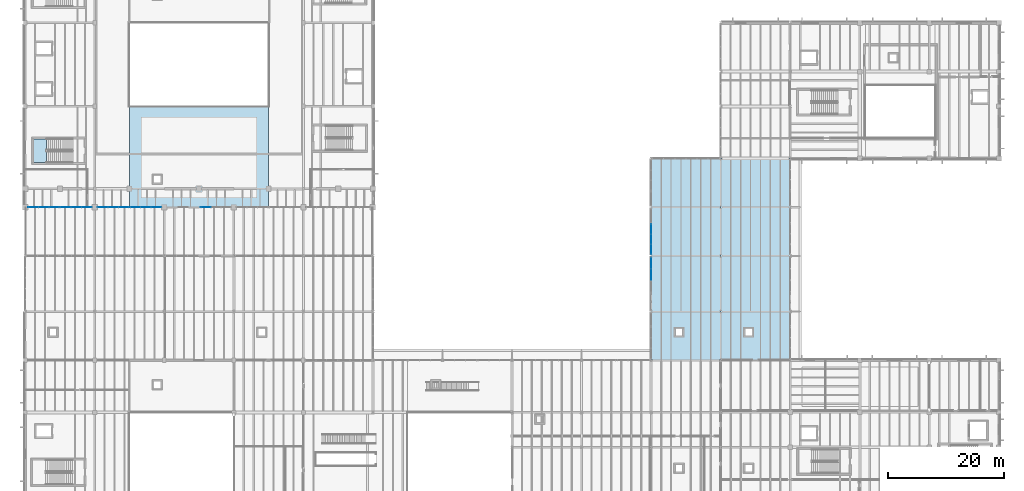
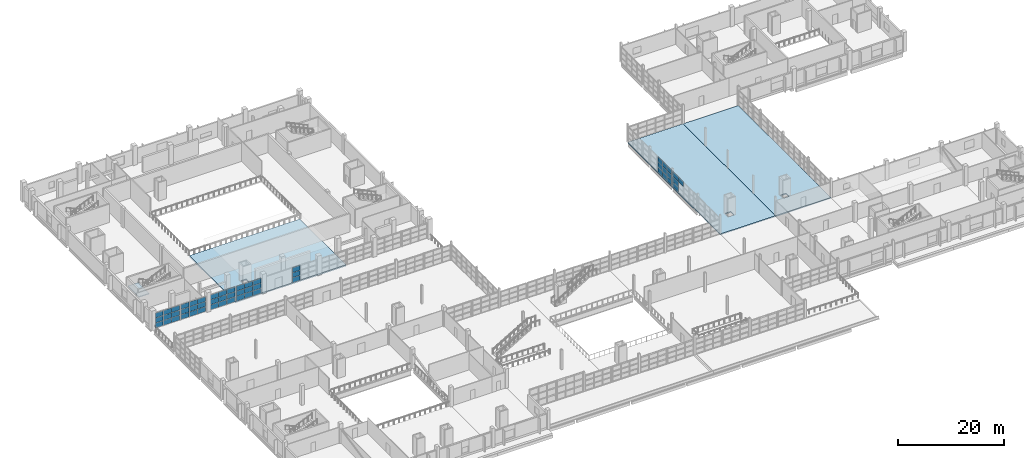
# One storey, part 81 of 114: 52 plates, 4 slabs, 8 elements without a shape of their own.
"""IFC4 building model written with IfcOpenShell, lengths in metres."""

import ifcopenshell
import ifcopenshell.guid

model = None  # the IFC model being written
_history = None  # IfcOwnerHistory: only IFC2X3 demands one
_inside = {}  # id of a spatial element -> (the spatial element, [elements in it])
_under = {}  # id of a project, library or spatial element -> (it, [spatial elements below it])
_declared = {}  # id of a project -> (the project, [libraries it declares])
_typed = {}  # id of a type object -> (the type object, [elements of that type])
_made_of = {}  # id of a material, layer set ... -> (it, [elements and type objects made of it])


def new_model(schema):
    """Start an empty IFC model of exactly this schema.

    Asked for "IFC4X3", IfcOpenShell would pick the latest addendum, in which some entities
    have other attributes; the version numbers below select the first issue.
    IFC2X3 requires an IfcOwnerHistory on every rooted entity: one is made here for all.
    """
    global model, _history
    if schema == "IFC4X3":
        model = ifcopenshell.file(schema_version=(4, 3, 0, 0))
    else:
        model = ifcopenshell.file(schema=schema)
    _inside.clear()
    _under.clear()
    _declared.clear()
    _typed.clear()
    _made_of.clear()
    _history = None
    if model.schema == "IFC2X3":
        org = make("IfcOrganization", Name="unknown")
        user = make(
            "IfcPersonAndOrganization",
            ThePerson=make("IfcPerson", FamilyName="unknown"),
            TheOrganization=org,
        )
        app = make(
            "IfcApplication",
            ApplicationDeveloper=org,
            Version="unknown",
            ApplicationFullName="unknown",
            ApplicationIdentifier="unknown",
        )
        _history = make(
            "IfcOwnerHistory",
            OwningUser=user,
            OwningApplication=app,
            ChangeAction="ADDED",
            CreationDate=0,
        )
    return model


def make(cls, **values):
    """One entity of the class cls with the attributes given. An attribute that is None is left unset."""
    return model.create_entity(
        cls, **{name: value for name, value in values.items() if value is not None}
    )


def rooted(cls, **values):
    """An entity with a GlobalId (a new one), such as an element, a storey or a relation."""
    return make(cls, GlobalId=ifcopenshell.guid.new(), OwnerHistory=_history, **values)


def si_unit(unit_type, name, prefix=None):
    """IfcSIUnit, for example si_unit("LENGTHUNIT", "METRE", prefix="MILLI")."""
    return make("IfcSIUnit", UnitType=unit_type, Prefix=prefix, Name=name)


def assignment(units):
    """IfcUnitAssignment: the units of a project."""
    return None if units is None else make("IfcUnitAssignment", Units=units)


def point(xyz):
    """IfcCartesianPoint."""
    return None if xyz is None else make("IfcCartesianPoint", Coordinates=xyz)


def direction(xyz):
    """IfcDirection."""
    return None if xyz is None else make("IfcDirection", DirectionRatios=xyz)


def frame(location, z_axis=None, x_axis=None):
    """IfcAxis2Placement3D, a coordinate frame: its origin and axes. An axis left out is left unset."""
    return make(
        "IfcAxis2Placement3D",
        Location=point(location),
        Axis=direction(z_axis),
        RefDirection=direction(x_axis),
    )


def frame_2d(location, x_axis=None):
    """IfcAxis2Placement2D, a coordinate frame in the plane: its origin and x axis."""
    return make(
        "IfcAxis2Placement2D", Location=point(location), RefDirection=direction(x_axis)
    )


def origin():
    """The frame at (0, 0, 0) with its axes left unset."""
    return frame((0.0, 0.0, 0.0))


def origin_2d():
    """The frame at (0, 0) in the plane with its x axis left unset."""
    return frame_2d((0.0, 0.0))


def place(relative_to, where):
    """IfcLocalPlacement: puts the frame where relative to a parent placement (None: the world)."""
    return make(
        "IfcLocalPlacement", PlacementRelTo=relative_to, RelativePlacement=where
    )


def context(
    kind, dimensions, precision=None, world=None, true_north=None, identifier=None
):
    """IfcGeometricRepresentationContext, for example the 3D "Model" context."""
    return make(
        "IfcGeometricRepresentationContext",
        ContextIdentifier=identifier,
        ContextType=kind,
        CoordinateSpaceDimension=dimensions,
        Precision=precision,
        WorldCoordinateSystem=world,
        TrueNorth=true_north,
    )


def subcontext(parent, identifier, kind, view, scale=None):
    """IfcGeometricRepresentationSubContext, for example "Body" below "Model"."""
    return make(
        "IfcGeometricRepresentationSubContext",
        ContextIdentifier=identifier,
        ContextType=kind,
        ParentContext=parent,
        TargetScale=scale,
        TargetView=view,
    )


def project(units=None, contexts=None):
    """IfcProject with its units and contexts."""
    return rooted(
        "IfcProject",
        Name="project",
        RepresentationContexts=contexts,
        UnitsInContext=assignment(units),
    )


def spatial(cls, under=None, at=None, **own):
    """A site, building, storey or space (cls), placed at a placement, below another one or the project."""
    s = rooted(cls, ObjectPlacement=at, **own)
    if under is not None:
        _under.setdefault(under.id(), (under, []))[1].append(s)
    return s


def polyline(points):
    """IfcPolyline through the points."""
    return make("IfcPolyline", Points=[point(p) for p in points])


def profile(cls, at=None, kind="AREA", **sizes):
    """A parametric profile (cls). Its sizes go by their IFC names, for example OverallWidth=200.0."""
    return make(cls, ProfileType=kind, Position=at, **sizes)


def rectangle(**sizes):
    """IfcRectangleProfileDef."""
    return profile("IfcRectangleProfileDef", **sizes)


def outline(outer, holes=None, kind="AREA"):
    """IfcArbitraryClosedProfileDef: a profile drawn as a closed curve; with holes, ...WithVoids."""
    if holes is None:
        return make("IfcArbitraryClosedProfileDef", ProfileType=kind, OuterCurve=outer)
    return make(
        "IfcArbitraryProfileDefWithVoids",
        ProfileType=kind,
        OuterCurve=outer,
        InnerCurves=holes,
    )


def extrude(swept, where, along, depth):
    """IfcExtrudedAreaSolid: the profile swept, set in the frame where, extruded along a direction by depth."""
    return make(
        "IfcExtrudedAreaSolid",
        SweptArea=swept,
        Position=where,
        ExtrudedDirection=direction(along),
        Depth=depth,
    )


def shape(context_of_items, identifier, shape_type, items):
    """IfcShapeRepresentation: the items that make up one representation, for example the "Body"."""
    return make(
        "IfcShapeRepresentation",
        ContextOfItems=context_of_items,
        RepresentationIdentifier=identifier,
        RepresentationType=shape_type,
        Items=items,
    )


def material(Name=None, Category=None):
    """IfcMaterial."""
    return make("IfcMaterial", Name=Name, Category=Category)


def layer(
    of_material, thickness, ventilated=None, Name=None, Category=None, Priority=None
):
    """IfcMaterialLayer: one layer of a wall or slab, of a material (None: an air gap)."""
    return make(
        "IfcMaterialLayer",
        Material=of_material,
        LayerThickness=thickness,
        IsVentilated=ventilated,
        Name=Name,
        Category=Category,
        Priority=Priority,
    )


def layer_set(layers, Name=None):
    """IfcMaterialLayerSet."""
    return make("IfcMaterialLayerSet", MaterialLayers=layers, LayerSetName=Name)


def made_of(thing, what):
    """Note that an element or type object is made of a material, layer set ...; save() writes the relation."""
    if what is not None:
        _made_of.setdefault(what.id(), (what, []))[1].append(thing)
    return thing


def type_object(cls, material=None, **own):
    """A type object (cls), such as IfcWallType, which elements share."""
    return made_of(rooted(cls, **own), material)


def element(
    cls,
    number,
    at=None,
    inside=None,
    cuts=None,
    type_object=None,
    material=None,
    context=None,
    identifier="Body",
    shape_type=None,
    held_by="IfcProductDefinitionShape",
    body=None,
    shapes=None,
    **own,
):
    """One element of the class cls, such as IfcWall. Its Tag is "e" and its number.

    at: its placement. inside: the storey or other place that contains it. cuts: it is an
    opening in that element (IfcRelVoidsElement). A single representation is given by context,
    identifier, shape_type and body (its items); several are given by shapes. held_by: the class
    of the entity that holds the representations. save() writes the other relations.
    """
    e = rooted(cls, Tag="e%d" % number, ObjectPlacement=at, **own)
    if body is not None:
        shapes = [shape(context, identifier, shape_type, body)]
    if shapes is not None:
        e.Representation = make(held_by, Representations=shapes)
    if inside is not None:
        _inside.setdefault(inside.id(), (inside, []))[1].append(e)
    if cuts is not None:
        rooted(
            "IfcRelVoidsElement", RelatingBuildingElement=cuts, RelatedOpeningElement=e
        )
    if type_object is not None:
        _typed.setdefault(type_object.id(), (type_object, []))[1].append(e)
    return made_of(e, material)


def aggregate(whole, parts):
    """IfcRelAggregates: a whole, such as a stair, and the parts it consists of."""
    return rooted("IfcRelAggregates", RelatingObject=whole, RelatedObjects=parts)


def save(model, path):
    """Write the relations noted so far, then the file.

    IfcRelAggregates (storeys below a building ...), IfcRelContainedInSpatialStructure (elements
    in a storey), IfcRelDefinesByType, IfcRelAssociatesMaterial and IfcRelDeclares: one each for
    every whole, place, type object, material and project.
    """
    for whole, parts in _under.values():
        aggregate(whole, parts)
    for where, things in _inside.values():
        rooted(
            "IfcRelContainedInSpatialStructure",
            RelatedElements=things,
            RelatingStructure=where,
        )
    for kind, things in _typed.values():
        rooted("IfcRelDefinesByType", RelatedObjects=things, RelatingType=kind)
    for what, things in _made_of.values():
        rooted("IfcRelAssociatesMaterial", RelatedObjects=things, RelatingMaterial=what)
    for by, libraries in _declared.values():
        rooted("IfcRelDeclares", RelatingContext=by, RelatedDefinitions=libraries)
    model.write(path)


model = new_model("IFC4")

# Units and contexts
model_context = context("Model", 3, precision=1e-05, world=origin(), true_north=direction((0.0, 1.0)))
body_context = subcontext(model_context, "Body", "Model", "MODEL_VIEW")
ifc_project = project(units=[si_unit("LENGTHUNIT", "METRE"), si_unit("AREAUNIT", "SQUARE_METRE"), si_unit("VOLUMEUNIT", "CUBIC_METRE"), si_unit("PLANEANGLEUNIT", "RADIAN"), si_unit("MASSUNIT", "GRAM", prefix="KILO")], contexts=[model_context])

# Site, building, storey
site_placement = place(None, origin())
site = spatial("IfcSite", under=ifc_project, at=site_placement, CompositionType="ELEMENT")
building_placement = place(site_placement, origin())
building = spatial("IfcBuilding", under=site, at=building_placement, Name="Kelmvaro Bay Concert Hall", CompositionType="ELEMENT")
storey_placement = place(building_placement, frame((0.0, 0.0, 4.800048828125)))
storey = spatial("IfcBuildingStorey", under=building, at=storey_placement, Name="L01", CompositionType="ELEMENT", Elevation=4.800048828125)

# Slab
ifc_material_1 = material(Name="Concrete C40/50", Category="concrete")
ifc_layer_1 = layer(ifc_material_1, 0.300048828125)
ifc_layer_set_1 = layer_set([ifc_layer_1], Name="Concrete C40/50")
slab_type_1 = type_object("IfcSlabType", Name="Auditorium Tier Structural Slab 300", PredefinedType="FLOOR", material=ifc_layer_set_1)
slab_1_placement = place(storey_placement, frame((0.0, 0.0, -0.300048828125)))
element("IfcSlab", 1, at=slab_1_placement, inside=storey, type_object=slab_type_1, Name="L01 Structural Slab V1-M", PredefinedType="FLOOR", context=body_context, shape_type="SweptSolid", body=[
    extrude(outline(polyline([(18.0, 65.39990234375), (42.0, 65.39990234375), (42.0, 82.800048828125), (18.0, 82.800048828125), (18.0, 65.39990234375)]), holes=[polyline([(22.199951171875, 69.60009765625), (23.39990234375, 69.60009765625), (23.39990234375, 70.800048828125), (22.199951171875, 70.800048828125), (22.199951171875, 69.60009765625)])]), origin(), (0.0, 0.0, 1.0), 0.300048828125),
])

# Stair, slab
ifc_material_2 = material(Name="Concrete C40/50", Category="concrete")
stair_type = type_object("IfcStairType", Name="Core Dogleg Exit Stair 1980", PredefinedType="USERDEFINED", material=ifc_material_2)
stair_placement = place(storey_placement, origin())
stair = element("IfcStair", 2, at=stair_placement, inside=storey, type_object=stair_type, Name="L01 Exit Stair ST-01", ObjectType="TWO_RETURN_STAIR", PredefinedType="USERDEFINED")
ifc_material_3 = material(Name="Concrete C40/50", Category="concrete")
ifc_layer_2 = layer(ifc_material_3, 0.199951171875)
ifc_layer_set_2 = layer_set([ifc_layer_2], Name="Concrete C40/50")
slab_type_2 = type_object("IfcSlabType", Name="Core Stair Half-Landing Slab 200", PredefinedType="LANDING", material=ifc_layer_set_2)
slab_2_placement = place(storey_placement, frame((0.0, 0.0, 2.050048828125)))
slab_2 = element("IfcSlab", 3, at=slab_2_placement, type_object=slab_type_2, Name="ST-01 landing 1", PredefinedType="LANDING", context=body_context, shape_type="SweptSolid", body=[
    extrude(outline(polyline([(3.696044921875, 77.199951171875), (1.449951171875, 77.199951171875), (1.449951171875, 73.090087890625), (3.696044921875, 73.090087890625), (3.696044921875, 77.199951171875)])), origin(), (0.0, 0.0, 1.0), 0.199951171875),
])
aggregate(stair, [slab_2])

# Curtain wall, plates
ifc_material_4 = material(Name="Anodised Aluminium and Low-E Insulated Glazing", Category="aluminium")
curtain_wall_type_1 = type_object("IfcCurtainWallType", Name="Mezzanine Concourse Curtain Wall 4100", PredefinedType="USERDEFINED", material=ifc_material_4)
curtain_wall_1_placement = place(storey_placement, origin())
curtain_wall_1 = element("IfcCurtainWall", 4, at=curtain_wall_1_placement, inside=storey, type_object=curtain_wall_type_1, Name="Unitised Curtain Wall CW-L01-115", ObjectType="UNITISED GLAZING", PredefinedType="USERDEFINED")
ifc_material_5 = material(Name="Laminated Low-E Insulated Glass", Category="glass")
ifc_layer_3 = layer(ifc_material_5, 1.85009765625)
ifc_layer_set_3 = layer_set([ifc_layer_3], Name="Laminated Low-E Insulated Glass")
plate_type_1 = type_object("IfcPlateType", Name="Courtyard Clear Low-E Glazing Panel 22", PredefinedType="CURTAIN_PANEL", material=ifc_layer_set_3)
plate_1_placement = place(storey_placement, frame((108.0, 53.747314453125, 2.45166015625), z_axis=(0.0, 0.0, 1.0), x_axis=(0.0, 1.0, 0.0)))
plate_1 = element("IfcPlate", 5, at=plate_1_placement, type_object=plate_type_1, Name="CW-L01-115 Insulated Glazing Panel 02-3", PredefinedType="CURTAIN_PANEL", context=body_context, shape_type="SweptSolid", body=[
    extrude(rectangle(XDim=1.939697265625, YDim=0.02197265625, at=origin_2d()), origin(), (0.0, 0.0, 1.0), 1.144775390625),
])
plate_2_placement = place(storey_placement, frame((108.0, 55.752197265625, 0.0322265625), z_axis=(0.0, 0.0, 1.0), x_axis=(0.0, 1.0, 0.0)))
plate_2 = element("IfcPlate", 6, at=plate_2_placement, type_object=plate_type_1, Name="CW-L01-115 Insulated Glazing Panel 03-1", PredefinedType="CURTAIN_PANEL", context=body_context, shape_type="SweptSolid", body=[
    extrude(rectangle(XDim=1.939697265625, YDim=0.02197265625, at=origin_2d()), origin(), (0.0, 0.0, 1.0), 1.144775390625),
])
plate_3_placement = place(storey_placement, frame((108.0, 55.752197265625, 1.2421875), z_axis=(0.0, 0.0, 1.0), x_axis=(0.0, 1.0, 0.0)))
plate_3 = element("IfcPlate", 7, at=plate_3_placement, type_object=plate_type_1, Name="CW-L01-115 Insulated Glazing Panel 03-2", PredefinedType="CURTAIN_PANEL", context=body_context, shape_type="SweptSolid", body=[
    extrude(rectangle(XDim=1.939697265625, YDim=0.02197265625, at=origin_2d()), origin(), (0.0, 0.0, 1.0), 1.14453125),
])
plate_4_placement = place(storey_placement, frame((108.0, 55.752197265625, 2.45166015625), z_axis=(0.0, 0.0, 1.0), x_axis=(0.0, 1.0, 0.0)))
plate_4 = element("IfcPlate", 8, at=plate_4_placement, type_object=plate_type_1, Name="CW-L01-115 Insulated Glazing Panel 03-3", PredefinedType="CURTAIN_PANEL", context=body_context, shape_type="SweptSolid", body=[
    extrude(rectangle(XDim=1.939697265625, YDim=0.02197265625, at=origin_2d()), origin(), (0.0, 0.0, 1.0), 1.144775390625),
])
aggregate(curtain_wall_1, [plate_1, plate_2, plate_3, plate_4])

curtain_wall_2_placement = place(storey_placement, origin())
curtain_wall_2 = element("IfcCurtainWall", 9, at=curtain_wall_2_placement, inside=storey, type_object=curtain_wall_type_1, Name="Unitised Curtain Wall CW-L01-117", ObjectType="UNITISED GLAZING", PredefinedType="USERDEFINED")
plate_5_placement = place(storey_placement, frame((108.0, 58.114501953125, 0.03271484375), z_axis=(0.0, 0.0, 1.0), x_axis=(0.0, 1.0, 0.0)))
plate_5 = element("IfcPlate", 10, at=plate_5_placement, type_object=plate_type_1, Name="CW-L01-117 Insulated Glazing Panel 01-1", PredefinedType="CURTAIN_PANEL", context=body_context, shape_type="SweptSolid", body=[
    extrude(rectangle(XDim=1.673095703125, YDim=0.02197265625, at=origin_2d()), origin(), (0.0, 0.0, 1.0), 1.144287109375),
])
plate_6_placement = place(storey_placement, frame((108.0, 58.114501953125, 1.24169921875), z_axis=(0.0, 0.0, 1.0), x_axis=(0.0, 1.0, 0.0)))
plate_6 = element("IfcPlate", 11, at=plate_6_placement, type_object=plate_type_1, Name="CW-L01-117 Insulated Glazing Panel 01-2", PredefinedType="CURTAIN_PANEL", context=body_context, shape_type="SweptSolid", body=[
    extrude(rectangle(XDim=1.673095703125, YDim=0.02197265625, at=origin_2d()), origin(), (0.0, 0.0, 1.0), 1.144287109375),
])
plate_7_placement = place(storey_placement, frame((108.0, 58.114501953125, 2.451171875), z_axis=(0.0, 0.0, 1.0), x_axis=(0.0, 1.0, 0.0)))
plate_7 = element("IfcPlate", 12, at=plate_7_placement, type_object=plate_type_1, Name="CW-L01-117 Insulated Glazing Panel 01-3", PredefinedType="CURTAIN_PANEL", context=body_context, shape_type="SweptSolid", body=[
    extrude(rectangle(XDim=1.673095703125, YDim=0.02197265625, at=origin_2d()), origin(), (0.0, 0.0, 1.0), 1.144287109375),
])
plate_8_placement = place(storey_placement, frame((108.0, 59.852783203125, 0.03271484375), z_axis=(0.0, 0.0, 1.0), x_axis=(0.0, 1.0, 0.0)))
plate_8 = element("IfcPlate", 13, at=plate_8_placement, type_object=plate_type_1, Name="CW-L01-117 Insulated Glazing Panel 02-1", PredefinedType="CURTAIN_PANEL", context=body_context, shape_type="SweptSolid", body=[
    extrude(rectangle(XDim=1.673095703125, YDim=0.02197265625, at=origin_2d()), origin(), (0.0, 0.0, 1.0), 1.144287109375),
])
plate_9_placement = place(storey_placement, frame((108.0, 59.852783203125, 1.24169921875), z_axis=(0.0, 0.0, 1.0), x_axis=(0.0, 1.0, 0.0)))
plate_9 = element("IfcPlate", 14, at=plate_9_placement, type_object=plate_type_1, Name="CW-L01-117 Insulated Glazing Panel 02-2", PredefinedType="CURTAIN_PANEL", context=body_context, shape_type="SweptSolid", body=[
    extrude(rectangle(XDim=1.673095703125, YDim=0.02197265625, at=origin_2d()), origin(), (0.0, 0.0, 1.0), 1.144287109375),
])
plate_10_placement = place(storey_placement, frame((108.0, 59.852783203125, 2.451171875), z_axis=(0.0, 0.0, 1.0), x_axis=(0.0, 1.0, 0.0)))
plate_10 = element("IfcPlate", 15, at=plate_10_placement, type_object=plate_type_1, Name="CW-L01-117 Insulated Glazing Panel 02-3", PredefinedType="CURTAIN_PANEL", context=body_context, shape_type="SweptSolid", body=[
    extrude(rectangle(XDim=1.673095703125, YDim=0.02197265625, at=origin_2d()), origin(), (0.0, 0.0, 1.0), 1.144287109375),
])
plate_11_placement = place(storey_placement, frame((108.0, 61.5908203125, 0.03271484375), z_axis=(0.0, 0.0, 1.0), x_axis=(0.0, 1.0, 0.0)))
plate_11 = element("IfcPlate", 16, at=plate_11_placement, type_object=plate_type_1, Name="CW-L01-117 Insulated Glazing Panel 03-1", PredefinedType="CURTAIN_PANEL", context=body_context, shape_type="SweptSolid", body=[
    extrude(rectangle(XDim=1.673095703125, YDim=0.02197265625, at=origin_2d()), origin(), (0.0, 0.0, 1.0), 1.144287109375),
])
plate_12_placement = place(storey_placement, frame((108.0, 61.5908203125, 1.24169921875), z_axis=(0.0, 0.0, 1.0), x_axis=(0.0, 1.0, 0.0)))
plate_12 = element("IfcPlate", 17, at=plate_12_placement, type_object=plate_type_1, Name="CW-L01-117 Insulated Glazing Panel 03-2", PredefinedType="CURTAIN_PANEL", context=body_context, shape_type="SweptSolid", body=[
    extrude(rectangle(XDim=1.673095703125, YDim=0.02197265625, at=origin_2d()), origin(), (0.0, 0.0, 1.0), 1.144287109375),
])
plate_13_placement = place(storey_placement, frame((108.0, 61.5908203125, 2.451171875), z_axis=(0.0, 0.0, 1.0), x_axis=(0.0, 1.0, 0.0)))
plate_13 = element("IfcPlate", 18, at=plate_13_placement, type_object=plate_type_1, Name="CW-L01-117 Insulated Glazing Panel 03-3", PredefinedType="CURTAIN_PANEL", context=body_context, shape_type="SweptSolid", body=[
    extrude(rectangle(XDim=1.673095703125, YDim=0.02197265625, at=origin_2d()), origin(), (0.0, 0.0, 1.0), 1.144287109375),
])
aggregate(curtain_wall_2, [plate_5, plate_6, plate_7, plate_8, plate_9, plate_10, plate_11, plate_12, plate_13])

# Slabs
ifc_material_6 = material(Name="Concrete C40/50", Category="concrete")
ifc_layer_4 = layer(ifc_material_6, 0.25)
ifc_layer_set_4 = layer_set([ifc_layer_4], Name="Concrete C40/50")
slab_type_3 = type_object("IfcSlabType", Name="Suspended Concourse Floor Slab 250", PredefinedType="FLOOR", material=ifc_layer_set_4)
slab_3_placement = place(storey_placement, frame((0.0, 0.0, -0.25)))
element("IfcSlab", 19, at=slab_3_placement, inside=storey, type_object=slab_type_3, Name="L01 Structural Slab V5-E1", PredefinedType="FLOOR", context=body_context, shape_type="SweptSolid", body=[
    extrude(outline(polyline([(108.0, 39.0), (120.0, 39.0), (120.0, 73.800048828125), (108.0, 73.800048828125), (108.0, 39.0)]), holes=[polyline([(112.199951171875, 43.199951171875), (113.39990234375, 43.199951171875), (113.39990234375, 44.39990234375), (112.199951171875, 44.39990234375), (112.199951171875, 43.199951171875)])]), origin(), (0.0, 0.0, 1.0), 0.25),
])
slab_4_placement = place(storey_placement, frame((0.0, 0.0, -0.25)))
element("IfcSlab", 20, at=slab_4_placement, inside=storey, type_object=slab_type_3, Name="L01 Structural Slab V5-E2", PredefinedType="FLOOR", context=body_context, shape_type="SweptSolid", body=[
    extrude(outline(polyline([(120.0, 39.0), (132.0, 39.0), (132.0, 73.800048828125), (120.0, 73.800048828125), (120.0, 39.0)]), holes=[polyline([(124.199951171875, 43.199951171875), (125.39990234375, 43.199951171875), (125.39990234375, 44.39990234375), (124.199951171875, 44.39990234375), (124.199951171875, 43.199951171875)])]), origin(), (0.0, 0.0, 1.0), 0.25),
])

# Curtain wall, plates
ifc_material_7 = material(Name="Anodised Aluminium and Low-E Insulated Glazing", Category="aluminium")
curtain_wall_type_2 = type_object("IfcCurtainWallType", Name="Symphony South Gallery Curtain Wall 3920", PredefinedType="USERDEFINED", material=ifc_material_7)
curtain_wall_3_placement = place(storey_placement, origin())
curtain_wall_3 = element("IfcCurtainWall", 21, at=curtain_wall_3_placement, inside=storey, type_object=curtain_wall_type_2, Name="Unitised Curtain Wall CW-L01-001", ObjectType="UNITISED GLAZING", PredefinedType="USERDEFINED")
ifc_material_8 = material(Name="Laminated Low-E Insulated Glass", Category="glass")
ifc_layer_5 = layer(ifc_material_8, 1.85009765625)
ifc_layer_set_5 = layer_set([ifc_layer_5], Name="Laminated Low-E Insulated Glass")
plate_type_2 = type_object("IfcPlateType", Name="Symphony Foyer Triple Acoustic Glass 60", PredefinedType="CURTAIN_PANEL", material=ifc_layer_set_5)
plate_14_placement = place(storey_placement, frame((4.9716796875, 65.39990234375, 0.0322265625), z_axis=(0.0, 0.0, 1.0), x_axis=(-1.0, 0.0, 0.0)))
plate_14 = element("IfcPlate", 22, at=plate_14_placement, type_object=plate_type_2, Name="CW-L01-001 Insulated Glazing Panel 01-1", PredefinedType="CURTAIN_PANEL", context=body_context, shape_type="SweptSolid", body=[
    extrude(rectangle(XDim=1.711669921875, YDim=0.06005859375, at=origin_2d()), origin(), (0.0, 0.0, 1.0), 1.097412109375),
])
plate_15_placement = place(storey_placement, frame((4.9716796875, 65.39990234375, 1.19482421875), z_axis=(0.0, 0.0, 1.0), x_axis=(-1.0, 0.0, 0.0)))
plate_15 = element("IfcPlate", 23, at=plate_15_placement, type_object=plate_type_2, Name="CW-L01-001 Insulated Glazing Panel 01-2", PredefinedType="CURTAIN_PANEL", context=body_context, shape_type="SweptSolid", body=[
    extrude(rectangle(XDim=1.711669921875, YDim=0.06005859375, at=origin_2d()), origin(), (0.0, 0.0, 1.0), 1.097412109375),
])
plate_16_placement = place(storey_placement, frame((4.9716796875, 65.39990234375, 2.35693359375), z_axis=(0.0, 0.0, 1.0), x_axis=(-1.0, 0.0, 0.0)))
plate_16 = element("IfcPlate", 24, at=plate_16_placement, type_object=plate_type_2, Name="CW-L01-001 Insulated Glazing Panel 01-3", PredefinedType="CURTAIN_PANEL", context=body_context, shape_type="SweptSolid", body=[
    extrude(rectangle(XDim=1.711669921875, YDim=0.06005859375, at=origin_2d()), origin(), (0.0, 0.0, 1.0), 1.097412109375),
])
plate_17_placement = place(storey_placement, frame((3.195068359375, 65.39990234375, 0.0322265625), z_axis=(0.0, 0.0, 1.0), x_axis=(-1.0, 0.0, 0.0)))
plate_17 = element("IfcPlate", 25, at=plate_17_placement, type_object=plate_type_2, Name="CW-L01-001 Insulated Glazing Panel 02-1", PredefinedType="CURTAIN_PANEL", context=body_context, shape_type="SweptSolid", body=[
    extrude(rectangle(XDim=1.711669921875, YDim=0.06005859375, at=origin_2d()), origin(), (0.0, 0.0, 1.0), 1.097412109375),
])
plate_18_placement = place(storey_placement, frame((3.195068359375, 65.39990234375, 1.19482421875), z_axis=(0.0, 0.0, 1.0), x_axis=(-1.0, 0.0, 0.0)))
plate_18 = element("IfcPlate", 26, at=plate_18_placement, type_object=plate_type_2, Name="CW-L01-001 Insulated Glazing Panel 02-2", PredefinedType="CURTAIN_PANEL", context=body_context, shape_type="SweptSolid", body=[
    extrude(rectangle(XDim=1.711669921875, YDim=0.06005859375, at=origin_2d()), origin(), (0.0, 0.0, 1.0), 1.097412109375),
])
plate_19_placement = place(storey_placement, frame((3.195068359375, 65.39990234375, 2.35693359375), z_axis=(0.0, 0.0, 1.0), x_axis=(-1.0, 0.0, 0.0)))
plate_19 = element("IfcPlate", 27, at=plate_19_placement, type_object=plate_type_2, Name="CW-L01-001 Insulated Glazing Panel 02-3", PredefinedType="CURTAIN_PANEL", context=body_context, shape_type="SweptSolid", body=[
    extrude(rectangle(XDim=1.711669921875, YDim=0.06005859375, at=origin_2d()), origin(), (0.0, 0.0, 1.0), 1.097412109375),
])
plate_20_placement = place(storey_placement, frame((1.418212890625, 65.39990234375, 0.0322265625), z_axis=(0.0, 0.0, 1.0), x_axis=(-1.0, 0.0, 0.0)))
plate_20 = element("IfcPlate", 28, at=plate_20_placement, type_object=plate_type_2, Name="CW-L01-001 Insulated Glazing Panel 03-1", PredefinedType="CURTAIN_PANEL", context=body_context, shape_type="SweptSolid", body=[
    extrude(rectangle(XDim=1.711669921875, YDim=0.06005859375, at=origin_2d()), origin(), (0.0, 0.0, 1.0), 1.097412109375),
])
plate_21_placement = place(storey_placement, frame((1.418212890625, 65.39990234375, 1.19482421875), z_axis=(0.0, 0.0, 1.0), x_axis=(-1.0, 0.0, 0.0)))
plate_21 = element("IfcPlate", 29, at=plate_21_placement, type_object=plate_type_2, Name="CW-L01-001 Insulated Glazing Panel 03-2", PredefinedType="CURTAIN_PANEL", context=body_context, shape_type="SweptSolid", body=[
    extrude(rectangle(XDim=1.711669921875, YDim=0.06005859375, at=origin_2d()), origin(), (0.0, 0.0, 1.0), 1.097412109375),
])
plate_22_placement = place(storey_placement, frame((1.418212890625, 65.39990234375, 2.35693359375), z_axis=(0.0, 0.0, 1.0), x_axis=(-1.0, 0.0, 0.0)))
plate_22 = element("IfcPlate", 30, at=plate_22_placement, type_object=plate_type_2, Name="CW-L01-001 Insulated Glazing Panel 03-3", PredefinedType="CURTAIN_PANEL", context=body_context, shape_type="SweptSolid", body=[
    extrude(rectangle(XDim=1.711669921875, YDim=0.06005859375, at=origin_2d()), origin(), (0.0, 0.0, 1.0), 1.097412109375),
])
aggregate(curtain_wall_3, [plate_14, plate_15, plate_16, plate_17, plate_18, plate_19, plate_20, plate_21, plate_22])

curtain_wall_4_placement = place(storey_placement, origin())
curtain_wall_4 = element("IfcCurtainWall", 31, at=curtain_wall_4_placement, inside=storey, type_object=curtain_wall_type_2, Name="Unitised Curtain Wall CW-L01-002", ObjectType="UNITISED GLAZING", PredefinedType="USERDEFINED")
plate_23_placement = place(storey_placement, frame((10.6025390625, 65.39990234375, 0.0322265625), z_axis=(0.0, 0.0, 1.0), x_axis=(-1.0, 0.0, 0.0)))
plate_23 = element("IfcPlate", 32, at=plate_23_placement, type_object=plate_type_2, Name="CW-L01-002 Insulated Glazing Panel 01-1", PredefinedType="CURTAIN_PANEL", context=body_context, shape_type="SweptSolid", body=[
    extrude(rectangle(XDim=1.719970703125, YDim=0.06005859375, at=origin_2d()), origin(), (0.0, 0.0, 1.0), 1.097412109375),
])
plate_24_placement = place(storey_placement, frame((10.6025390625, 65.39990234375, 1.19482421875), z_axis=(0.0, 0.0, 1.0), x_axis=(-1.0, 0.0, 0.0)))
plate_24 = element("IfcPlate", 33, at=plate_24_placement, type_object=plate_type_2, Name="CW-L01-002 Insulated Glazing Panel 01-2", PredefinedType="CURTAIN_PANEL", context=body_context, shape_type="SweptSolid", body=[
    extrude(rectangle(XDim=1.719970703125, YDim=0.06005859375, at=origin_2d()), origin(), (0.0, 0.0, 1.0), 1.097412109375),
])
plate_25_placement = place(storey_placement, frame((10.6025390625, 65.39990234375, 2.35693359375), z_axis=(0.0, 0.0, 1.0), x_axis=(-1.0, 0.0, 0.0)))
plate_25 = element("IfcPlate", 34, at=plate_25_placement, type_object=plate_type_2, Name="CW-L01-002 Insulated Glazing Panel 01-3", PredefinedType="CURTAIN_PANEL", context=body_context, shape_type="SweptSolid", body=[
    extrude(rectangle(XDim=1.719970703125, YDim=0.06005859375, at=origin_2d()), origin(), (0.0, 0.0, 1.0), 1.097412109375),
])
plate_26_placement = place(storey_placement, frame((8.8173828125, 65.39990234375, 0.0322265625), z_axis=(0.0, 0.0, 1.0), x_axis=(-1.0, 0.0, 0.0)))
plate_26 = element("IfcPlate", 35, at=plate_26_placement, type_object=plate_type_2, Name="CW-L01-002 Insulated Glazing Panel 02-1", PredefinedType="CURTAIN_PANEL", context=body_context, shape_type="SweptSolid", body=[
    extrude(rectangle(XDim=1.719970703125, YDim=0.06005859375, at=origin_2d()), origin(), (0.0, 0.0, 1.0), 1.097412109375),
])
plate_27_placement = place(storey_placement, frame((8.8173828125, 65.39990234375, 1.19482421875), z_axis=(0.0, 0.0, 1.0), x_axis=(-1.0, 0.0, 0.0)))
plate_27 = element("IfcPlate", 36, at=plate_27_placement, type_object=plate_type_2, Name="CW-L01-002 Insulated Glazing Panel 02-2", PredefinedType="CURTAIN_PANEL", context=body_context, shape_type="SweptSolid", body=[
    extrude(rectangle(XDim=1.719970703125, YDim=0.06005859375, at=origin_2d()), origin(), (0.0, 0.0, 1.0), 1.097412109375),
])
plate_28_placement = place(storey_placement, frame((8.8173828125, 65.39990234375, 2.35693359375), z_axis=(0.0, 0.0, 1.0), x_axis=(-1.0, 0.0, 0.0)))
plate_28 = element("IfcPlate", 37, at=plate_28_placement, type_object=plate_type_2, Name="CW-L01-002 Insulated Glazing Panel 02-3", PredefinedType="CURTAIN_PANEL", context=body_context, shape_type="SweptSolid", body=[
    extrude(rectangle(XDim=1.719970703125, YDim=0.06005859375, at=origin_2d()), origin(), (0.0, 0.0, 1.0), 1.097412109375),
])
plate_29_placement = place(storey_placement, frame((7.032470703125, 65.39990234375, 0.0322265625), z_axis=(0.0, 0.0, 1.0), x_axis=(-1.0, 0.0, 0.0)))
plate_29 = element("IfcPlate", 38, at=plate_29_placement, type_object=plate_type_2, Name="CW-L01-002 Insulated Glazing Panel 03-1", PredefinedType="CURTAIN_PANEL", context=body_context, shape_type="SweptSolid", body=[
    extrude(rectangle(XDim=1.719970703125, YDim=0.06005859375, at=origin_2d()), origin(), (0.0, 0.0, 1.0), 1.097412109375),
])
plate_30_placement = place(storey_placement, frame((7.032470703125, 65.39990234375, 1.19482421875), z_axis=(0.0, 0.0, 1.0), x_axis=(-1.0, 0.0, 0.0)))
plate_30 = element("IfcPlate", 39, at=plate_30_placement, type_object=plate_type_2, Name="CW-L01-002 Insulated Glazing Panel 03-2", PredefinedType="CURTAIN_PANEL", context=body_context, shape_type="SweptSolid", body=[
    extrude(rectangle(XDim=1.719970703125, YDim=0.06005859375, at=origin_2d()), origin(), (0.0, 0.0, 1.0), 1.097412109375),
])
plate_31_placement = place(storey_placement, frame((7.032470703125, 65.39990234375, 2.35693359375), z_axis=(0.0, 0.0, 1.0), x_axis=(-1.0, 0.0, 0.0)))
plate_31 = element("IfcPlate", 40, at=plate_31_placement, type_object=plate_type_2, Name="CW-L01-002 Insulated Glazing Panel 03-3", PredefinedType="CURTAIN_PANEL", context=body_context, shape_type="SweptSolid", body=[
    extrude(rectangle(XDim=1.719970703125, YDim=0.06005859375, at=origin_2d()), origin(), (0.0, 0.0, 1.0), 1.097412109375),
])
aggregate(curtain_wall_4, [plate_23, plate_24, plate_25, plate_26, plate_27, plate_28, plate_29, plate_30, plate_31])

curtain_wall_5_placement = place(storey_placement, origin())
curtain_wall_5 = element("IfcCurtainWall", 41, at=curtain_wall_5_placement, inside=storey, type_object=curtain_wall_type_2, Name="Unitised Curtain Wall CW-L01-003", ObjectType="UNITISED GLAZING", PredefinedType="USERDEFINED")
plate_32_placement = place(storey_placement, frame((16.967529296875, 65.39990234375, 0.0322265625), z_axis=(0.0, 0.0, 1.0), x_axis=(-1.0, 0.0, 0.0)))
plate_32 = element("IfcPlate", 42, at=plate_32_placement, type_object=plate_type_2, Name="CW-L01-003 Insulated Glazing Panel 01-1", PredefinedType="CURTAIN_PANEL", context=body_context, shape_type="SweptSolid", body=[
    extrude(rectangle(XDim=1.719970703125, YDim=0.06005859375, at=origin_2d()), origin(), (0.0, 0.0, 1.0), 1.097412109375),
])
plate_33_placement = place(storey_placement, frame((16.967529296875, 65.39990234375, 1.19482421875), z_axis=(0.0, 0.0, 1.0), x_axis=(-1.0, 0.0, 0.0)))
plate_33 = element("IfcPlate", 43, at=plate_33_placement, type_object=plate_type_2, Name="CW-L01-003 Insulated Glazing Panel 01-2", PredefinedType="CURTAIN_PANEL", context=body_context, shape_type="SweptSolid", body=[
    extrude(rectangle(XDim=1.719970703125, YDim=0.06005859375, at=origin_2d()), origin(), (0.0, 0.0, 1.0), 1.097412109375),
])
plate_34_placement = place(storey_placement, frame((16.967529296875, 65.39990234375, 2.35693359375), z_axis=(0.0, 0.0, 1.0), x_axis=(-1.0, 0.0, 0.0)))
plate_34 = element("IfcPlate", 44, at=plate_34_placement, type_object=plate_type_2, Name="CW-L01-003 Insulated Glazing Panel 01-3", PredefinedType="CURTAIN_PANEL", context=body_context, shape_type="SweptSolid", body=[
    extrude(rectangle(XDim=1.719970703125, YDim=0.06005859375, at=origin_2d()), origin(), (0.0, 0.0, 1.0), 1.097412109375),
])
plate_35_placement = place(storey_placement, frame((15.1826171875, 65.39990234375, 0.0322265625), z_axis=(0.0, 0.0, 1.0), x_axis=(-1.0, 0.0, 0.0)))
plate_35 = element("IfcPlate", 45, at=plate_35_placement, type_object=plate_type_2, Name="CW-L01-003 Insulated Glazing Panel 02-1", PredefinedType="CURTAIN_PANEL", context=body_context, shape_type="SweptSolid", body=[
    extrude(rectangle(XDim=1.719970703125, YDim=0.06005859375, at=origin_2d()), origin(), (0.0, 0.0, 1.0), 1.097412109375),
])
plate_36_placement = place(storey_placement, frame((15.1826171875, 65.39990234375, 1.19482421875), z_axis=(0.0, 0.0, 1.0), x_axis=(-1.0, 0.0, 0.0)))
plate_36 = element("IfcPlate", 46, at=plate_36_placement, type_object=plate_type_2, Name="CW-L01-003 Insulated Glazing Panel 02-2", PredefinedType="CURTAIN_PANEL", context=body_context, shape_type="SweptSolid", body=[
    extrude(rectangle(XDim=1.719970703125, YDim=0.06005859375, at=origin_2d()), origin(), (0.0, 0.0, 1.0), 1.097412109375),
])
plate_37_placement = place(storey_placement, frame((15.1826171875, 65.39990234375, 2.35693359375), z_axis=(0.0, 0.0, 1.0), x_axis=(-1.0, 0.0, 0.0)))
plate_37 = element("IfcPlate", 47, at=plate_37_placement, type_object=plate_type_2, Name="CW-L01-003 Insulated Glazing Panel 02-3", PredefinedType="CURTAIN_PANEL", context=body_context, shape_type="SweptSolid", body=[
    extrude(rectangle(XDim=1.719970703125, YDim=0.06005859375, at=origin_2d()), origin(), (0.0, 0.0, 1.0), 1.097412109375),
])
plate_38_placement = place(storey_placement, frame((13.3974609375, 65.39990234375, 0.0322265625), z_axis=(0.0, 0.0, 1.0), x_axis=(-1.0, 0.0, 0.0)))
plate_38 = element("IfcPlate", 48, at=plate_38_placement, type_object=plate_type_2, Name="CW-L01-003 Insulated Glazing Panel 03-1", PredefinedType="CURTAIN_PANEL", context=body_context, shape_type="SweptSolid", body=[
    extrude(rectangle(XDim=1.719970703125, YDim=0.06005859375, at=origin_2d()), origin(), (0.0, 0.0, 1.0), 1.097412109375),
])
plate_39_placement = place(storey_placement, frame((13.3974609375, 65.39990234375, 1.19482421875), z_axis=(0.0, 0.0, 1.0), x_axis=(-1.0, 0.0, 0.0)))
plate_39 = element("IfcPlate", 49, at=plate_39_placement, type_object=plate_type_2, Name="CW-L01-003 Insulated Glazing Panel 03-2", PredefinedType="CURTAIN_PANEL", context=body_context, shape_type="SweptSolid", body=[
    extrude(rectangle(XDim=1.719970703125, YDim=0.06005859375, at=origin_2d()), origin(), (0.0, 0.0, 1.0), 1.097412109375),
])
plate_40_placement = place(storey_placement, frame((13.3974609375, 65.39990234375, 2.35693359375), z_axis=(0.0, 0.0, 1.0), x_axis=(-1.0, 0.0, 0.0)))
plate_40 = element("IfcPlate", 50, at=plate_40_placement, type_object=plate_type_2, Name="CW-L01-003 Insulated Glazing Panel 03-3", PredefinedType="CURTAIN_PANEL", context=body_context, shape_type="SweptSolid", body=[
    extrude(rectangle(XDim=1.719970703125, YDim=0.06005859375, at=origin_2d()), origin(), (0.0, 0.0, 1.0), 1.097412109375),
])
aggregate(curtain_wall_5, [plate_32, plate_33, plate_34, plate_35, plate_36, plate_37, plate_38, plate_39, plate_40])

curtain_wall_6_placement = place(storey_placement, origin())
curtain_wall_6 = element("IfcCurtainWall", 51, at=curtain_wall_6_placement, inside=storey, type_object=curtain_wall_type_2, Name="Unitised Curtain Wall CW-L01-004", ObjectType="UNITISED GLAZING", PredefinedType="USERDEFINED")
plate_41_placement = place(storey_placement, frame((22.6025390625, 65.39990234375, 0.0322265625), z_axis=(0.0, 0.0, 1.0), x_axis=(-1.0, 0.0, 0.0)))
plate_41 = element("IfcPlate", 52, at=plate_41_placement, type_object=plate_type_2, Name="CW-L01-004 Insulated Glazing Panel 01-1", PredefinedType="CURTAIN_PANEL", context=body_context, shape_type="SweptSolid", body=[
    extrude(rectangle(XDim=1.719970703125, YDim=0.06005859375, at=origin_2d()), origin(), (0.0, 0.0, 1.0), 1.097412109375),
])
plate_42_placement = place(storey_placement, frame((22.6025390625, 65.39990234375, 1.19482421875), z_axis=(0.0, 0.0, 1.0), x_axis=(-1.0, 0.0, 0.0)))
plate_42 = element("IfcPlate", 53, at=plate_42_placement, type_object=plate_type_2, Name="CW-L01-004 Insulated Glazing Panel 01-2", PredefinedType="CURTAIN_PANEL", context=body_context, shape_type="SweptSolid", body=[
    extrude(rectangle(XDim=1.719970703125, YDim=0.06005859375, at=origin_2d()), origin(), (0.0, 0.0, 1.0), 1.097412109375),
])
plate_43_placement = place(storey_placement, frame((22.6025390625, 65.39990234375, 2.35693359375), z_axis=(0.0, 0.0, 1.0), x_axis=(-1.0, 0.0, 0.0)))
plate_43 = element("IfcPlate", 54, at=plate_43_placement, type_object=plate_type_2, Name="CW-L01-004 Insulated Glazing Panel 01-3", PredefinedType="CURTAIN_PANEL", context=body_context, shape_type="SweptSolid", body=[
    extrude(rectangle(XDim=1.719970703125, YDim=0.06005859375, at=origin_2d()), origin(), (0.0, 0.0, 1.0), 1.097412109375),
])
plate_44_placement = place(storey_placement, frame((20.8173828125, 65.39990234375, 0.0322265625), z_axis=(0.0, 0.0, 1.0), x_axis=(-1.0, 0.0, 0.0)))
plate_44 = element("IfcPlate", 55, at=plate_44_placement, type_object=plate_type_2, Name="CW-L01-004 Insulated Glazing Panel 02-1", PredefinedType="CURTAIN_PANEL", context=body_context, shape_type="SweptSolid", body=[
    extrude(rectangle(XDim=1.719970703125, YDim=0.06005859375, at=origin_2d()), origin(), (0.0, 0.0, 1.0), 1.097412109375),
])
plate_45_placement = place(storey_placement, frame((20.8173828125, 65.39990234375, 1.19482421875), z_axis=(0.0, 0.0, 1.0), x_axis=(-1.0, 0.0, 0.0)))
plate_45 = element("IfcPlate", 56, at=plate_45_placement, type_object=plate_type_2, Name="CW-L01-004 Insulated Glazing Panel 02-2", PredefinedType="CURTAIN_PANEL", context=body_context, shape_type="SweptSolid", body=[
    extrude(rectangle(XDim=1.719970703125, YDim=0.06005859375, at=origin_2d()), origin(), (0.0, 0.0, 1.0), 1.097412109375),
])
plate_46_placement = place(storey_placement, frame((20.8173828125, 65.39990234375, 2.35693359375), z_axis=(0.0, 0.0, 1.0), x_axis=(-1.0, 0.0, 0.0)))
plate_46 = element("IfcPlate", 57, at=plate_46_placement, type_object=plate_type_2, Name="CW-L01-004 Insulated Glazing Panel 02-3", PredefinedType="CURTAIN_PANEL", context=body_context, shape_type="SweptSolid", body=[
    extrude(rectangle(XDim=1.719970703125, YDim=0.06005859375, at=origin_2d()), origin(), (0.0, 0.0, 1.0), 1.097412109375),
])
plate_47_placement = place(storey_placement, frame((19.032470703125, 65.39990234375, 0.0322265625), z_axis=(0.0, 0.0, 1.0), x_axis=(-1.0, 0.0, 0.0)))
plate_47 = element("IfcPlate", 58, at=plate_47_placement, type_object=plate_type_2, Name="CW-L01-004 Insulated Glazing Panel 03-1", PredefinedType="CURTAIN_PANEL", context=body_context, shape_type="SweptSolid", body=[
    extrude(rectangle(XDim=1.719970703125, YDim=0.06005859375, at=origin_2d()), origin(), (0.0, 0.0, 1.0), 1.097412109375),
])
plate_48_placement = place(storey_placement, frame((19.032470703125, 65.39990234375, 1.19482421875), z_axis=(0.0, 0.0, 1.0), x_axis=(-1.0, 0.0, 0.0)))
plate_48 = element("IfcPlate", 59, at=plate_48_placement, type_object=plate_type_2, Name="CW-L01-004 Insulated Glazing Panel 03-2", PredefinedType="CURTAIN_PANEL", context=body_context, shape_type="SweptSolid", body=[
    extrude(rectangle(XDim=1.719970703125, YDim=0.06005859375, at=origin_2d()), origin(), (0.0, 0.0, 1.0), 1.097412109375),
])
plate_49_placement = place(storey_placement, frame((19.032470703125, 65.39990234375, 2.35693359375), z_axis=(0.0, 0.0, 1.0), x_axis=(-1.0, 0.0, 0.0)))
plate_49 = element("IfcPlate", 60, at=plate_49_placement, type_object=plate_type_2, Name="CW-L01-004 Insulated Glazing Panel 03-3", PredefinedType="CURTAIN_PANEL", context=body_context, shape_type="SweptSolid", body=[
    extrude(rectangle(XDim=1.719970703125, YDim=0.06005859375, at=origin_2d()), origin(), (0.0, 0.0, 1.0), 1.097412109375),
])
aggregate(curtain_wall_6, [plate_41, plate_42, plate_43, plate_44, plate_45, plate_46, plate_47, plate_48, plate_49])

curtain_wall_7_placement = place(storey_placement, origin())
curtain_wall_7 = element("IfcCurtainWall", 61, at=curtain_wall_7_placement, inside=storey, type_object=curtain_wall_type_2, Name="Unitised Curtain Wall CW-L01-005", ObjectType="UNITISED GLAZING", PredefinedType="USERDEFINED")
plate_50_placement = place(storey_placement, frame((31.165771484375, 65.39990234375, 0.0322265625), z_axis=(0.0, 0.0, 1.0), x_axis=(-1.0, 0.0, 0.0)))
plate_50 = element("IfcPlate", 62, at=plate_50_placement, type_object=plate_type_2, Name="CW-L01-005 Insulated Glazing Panel 03-1", PredefinedType="CURTAIN_PANEL", context=body_context, shape_type="SweptSolid", body=[
    extrude(rectangle(XDim=1.666748046875, YDim=0.06005859375, at=origin_2d()), origin(), (0.0, 0.0, 1.0), 1.097412109375),
])
plate_51_placement = place(storey_placement, frame((31.165771484375, 65.39990234375, 1.19482421875), z_axis=(0.0, 0.0, 1.0), x_axis=(-1.0, 0.0, 0.0)))
plate_51 = element("IfcPlate", 63, at=plate_51_placement, type_object=plate_type_2, Name="CW-L01-005 Insulated Glazing Panel 03-2", PredefinedType="CURTAIN_PANEL", context=body_context, shape_type="SweptSolid", body=[
    extrude(rectangle(XDim=1.666748046875, YDim=0.06005859375, at=origin_2d()), origin(), (0.0, 0.0, 1.0), 1.097412109375),
])
plate_52_placement = place(storey_placement, frame((31.165771484375, 65.39990234375, 2.35693359375), z_axis=(0.0, 0.0, 1.0), x_axis=(-1.0, 0.0, 0.0)))
plate_52 = element("IfcPlate", 64, at=plate_52_placement, type_object=plate_type_2, Name="CW-L01-005 Insulated Glazing Panel 03-3", PredefinedType="CURTAIN_PANEL", context=body_context, shape_type="SweptSolid", body=[
    extrude(rectangle(XDim=1.666748046875, YDim=0.06005859375, at=origin_2d()), origin(), (0.0, 0.0, 1.0), 1.097412109375),
])
aggregate(curtain_wall_7, [plate_50, plate_51, plate_52])

save(model, "model.ifc")
